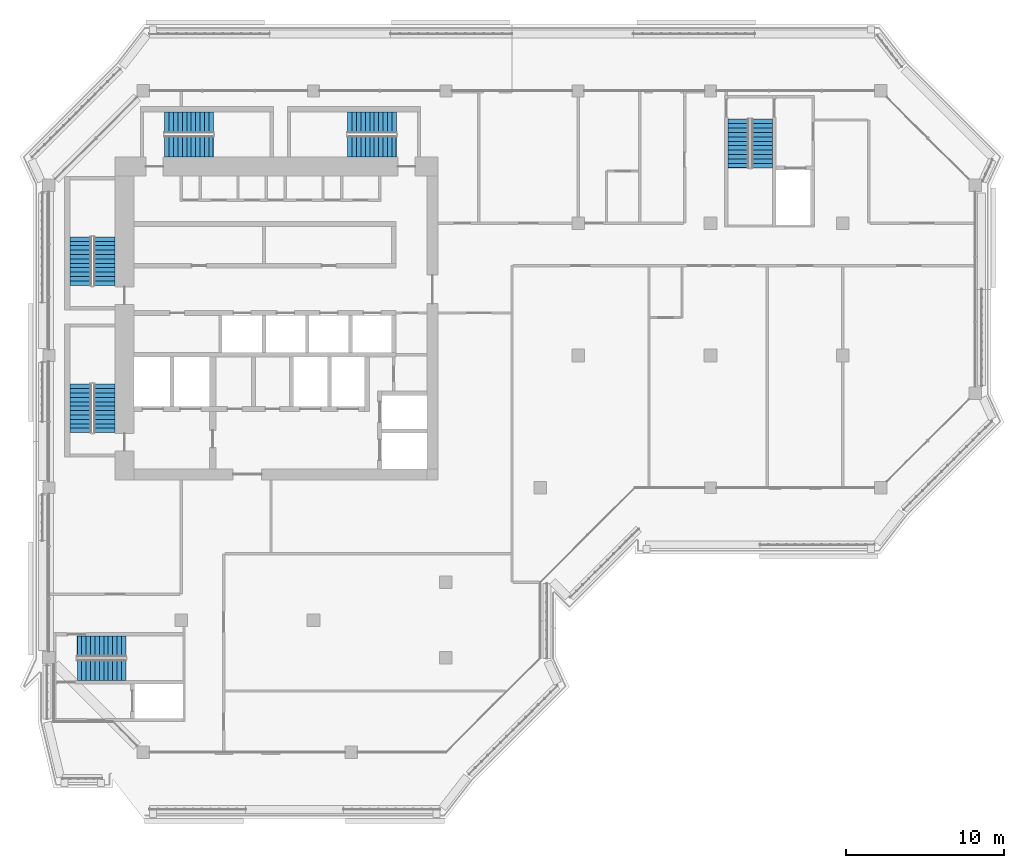
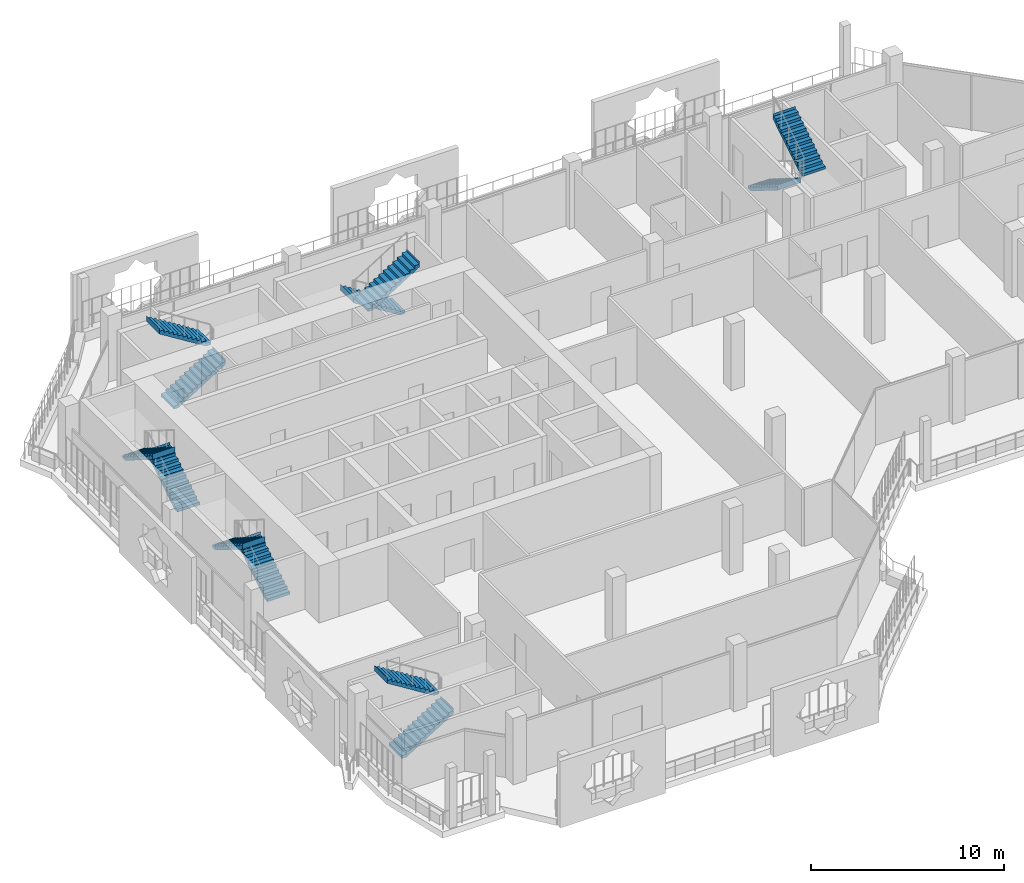
# One storey, part 14 of 21: 12 stair flights, 6 elements without a shape of their own.
"""IFC4 building model written with IfcOpenShell, lengths in metres."""

from ifc_helpers import new_model, si_unit, direction, frame, origin, place, context, subcontext, project, spatial, polyline, outline, extrude, material, type_object, element, aggregate, save


model = new_model("IFC4")

# Units and contexts
model_context = context("Model", 3, precision=1e-05, world=origin(), true_north=direction((0.0, 1.0)))
body_context = subcontext(model_context, "Body", "Model", "MODEL_VIEW")
ifc_project = project(units=[si_unit("LENGTHUNIT", "METRE"), si_unit("AREAUNIT", "SQUARE_METRE"), si_unit("VOLUMEUNIT", "CUBIC_METRE"), si_unit("PLANEANGLEUNIT", "RADIAN"), si_unit("MASSUNIT", "GRAM", prefix="KILO")], contexts=[model_context])

# Site, building, storey
site_placement = place(None, origin())
site = spatial("IfcSite", under=ifc_project, at=site_placement, CompositionType="ELEMENT")
building_placement = place(site_placement, origin())
building = spatial("IfcBuilding", under=site, at=building_placement, Name="Kawkab Arch Medical Tower", CompositionType="ELEMENT")
storey_placement = place(building_placement, frame((0.0, 0.0, 302.800048828125)))
storey = spatial("IfcBuildingStorey", under=building, at=storey_placement, Name="L70", CompositionType="ELEMENT", Elevation=302.800048828125)

# Stair, stair flights
ifc_material_1 = material(Name="Concrete C40/50", Category="concrete")
stair_type = type_object("IfcStairType", Name="Exit stair 1350", PredefinedType="HALF_TURN_STAIR", material=ifc_material_1)
placement = place(storey_placement, origin())
stair_1 = element("IfcStair", 1, at=placement, inside=storey, type_object=stair_type, Name="L70 Exit stair ST1", PredefinedType="HALF_TURN_STAIR")
ifc_material_2 = material(Name="Concrete C40/50", Category="concrete")
stair_flight_type = type_object("IfcStairFlightType", Name="Exit stair flight 1350", PredefinedType="STRAIGHT", material=ifc_material_2)
stair_flight_1_placement = place(storey_placement, frame((3.52490234375, -12.35009765625, 0.0), z_axis=(0.0, 0.0, 1.0), x_axis=(0.0, 1.0, 0.0)))
stair_flight_1 = element("IfcStairFlight", 2, at=stair_flight_1_placement, type_object=stair_flight_type, Name="ST1 flight 1", NumberOfRisers=12, NumberOfTreads=11, PredefinedType="STRAIGHT", RiserHeight=0.175, TreadLength=0.28, context=body_context, shape_type="SweptSolid", body=[
    extrude(outline(polyline([(-0.0029296875, 0.0), (-0.0029296875, 0.175048828125), (0.0, 0.175048828125), (0.280029296875, 0.175048828125), (0.280029296875, 0.35009765625), (0.56005859375, 0.35009765625), (0.56005859375, 0.52490234375), (0.840087890625, 0.52490234375), (0.840087890625, 0.699951171875), (1.1201171875, 0.699951171875), (1.1201171875, 0.875), (1.39990234375, 0.875), (1.39990234375, 1.050048828125), (1.679931640625, 1.050048828125), (1.679931640625, 1.22509765625), (1.9599609375, 1.22509765625), (1.9599609375, 1.39990234375), (2.239990234375, 1.39990234375), (2.239990234375, 1.574951171875), (2.52001953125, 1.574951171875), (2.52001953125, 1.75), (2.800048828125, 1.75), (2.800048828125, 1.925048828125), (3.080078125, 1.925048828125), (3.080078125, 2.10009765625), (3.0830078125, 2.10009765625), (3.0830078125, 1.748291015625), (3.080078125, 1.748291015625), (0.28271484375, 0.0), (-0.0029296875, 0.0)])), frame((0.0, 0.675048828125, 0.0), z_axis=(0.0, -1.0, 0.0), x_axis=(1.0, 0.0, 0.0)), (0.0, 0.0, 1.0), 1.35009765625),
])
stair_flight_2_placement = place(storey_placement, frame((2.02490234375, -9.27001953125, 2.099853515625), z_axis=(0.0, 0.0, 1.0), x_axis=(0.0, -1.0, 0.0)))
stair_flight_2 = element("IfcStairFlight", 3, at=stair_flight_2_placement, type_object=stair_flight_type, Name="ST1 flight 2", NumberOfRisers=12, NumberOfTreads=11, PredefinedType="STRAIGHT", RiserHeight=0.175, TreadLength=0.28, context=body_context, shape_type="SweptSolid", body=[
    extrude(outline(polyline([(-0.0029296875, 0.0), (-0.0029296875, 0.175048828125), (0.0, 0.175048828125), (0.280029296875, 0.175048828125), (0.280029296875, 0.35009765625), (0.56005859375, 0.35009765625), (0.56005859375, 0.52490234375), (0.840087890625, 0.52490234375), (0.840087890625, 0.699951171875), (1.1201171875, 0.699951171875), (1.1201171875, 0.875), (1.39990234375, 0.875), (1.39990234375, 1.050048828125), (1.679931640625, 1.050048828125), (1.679931640625, 1.22509765625), (1.9599609375, 1.22509765625), (1.9599609375, 1.39990234375), (2.239990234375, 1.39990234375), (2.239990234375, 1.574951171875), (2.52001953125, 1.574951171875), (2.52001953125, 1.75), (2.800048828125, 1.75), (2.800048828125, 1.925048828125), (3.080078125, 1.925048828125), (3.080078125, 2.10009765625), (3.0830078125, 2.10009765625), (3.0830078125, 1.748291015625), (3.080078125, 1.748291015625), (0.28271484375, 0.0), (-0.0029296875, 0.0)])), frame((0.0, 0.675048828125, 0.0), z_axis=(0.0, -1.0, 0.0), x_axis=(1.0, 0.0, 0.0)), (0.0, 0.0, 1.0), 1.35009765625),
])
aggregate(stair_1, [stair_flight_1, stair_flight_2])

stair_2 = element("IfcStair", 4, at=placement, inside=storey, type_object=stair_type, Name="L70 Exit stair ST2", PredefinedType="HALF_TURN_STAIR")
stair_flight_3_placement = place(storey_placement, frame((3.52490234375, -21.699951171875, 0.0), z_axis=(0.0, 0.0, 1.0), x_axis=(0.0, 1.0, 0.0)))
stair_flight_3 = element("IfcStairFlight", 5, at=stair_flight_3_placement, type_object=stair_flight_type, Name="ST2 flight 1", NumberOfRisers=12, NumberOfTreads=11, PredefinedType="STRAIGHT", RiserHeight=0.175, TreadLength=0.28, context=body_context, shape_type="SweptSolid", body=[
    extrude(outline(polyline([(-0.0029296875, 0.0), (-0.0029296875, 0.175048828125), (0.0, 0.175048828125), (0.280029296875, 0.175048828125), (0.280029296875, 0.35009765625), (0.56005859375, 0.35009765625), (0.56005859375, 0.52490234375), (0.840087890625, 0.52490234375), (0.840087890625, 0.699951171875), (1.1201171875, 0.699951171875), (1.1201171875, 0.875), (1.39990234375, 0.875), (1.39990234375, 1.050048828125), (1.679931640625, 1.050048828125), (1.679931640625, 1.22509765625), (1.9599609375, 1.22509765625), (1.9599609375, 1.39990234375), (2.239990234375, 1.39990234375), (2.239990234375, 1.574951171875), (2.52001953125, 1.574951171875), (2.52001953125, 1.75), (2.800048828125, 1.75), (2.800048828125, 1.925048828125), (3.080078125, 1.925048828125), (3.080078125, 2.10009765625), (3.0830078125, 2.10009765625), (3.0830078125, 1.748291015625), (3.080078125, 1.748291015625), (0.28271484375, 0.0), (-0.0029296875, 0.0)])), frame((0.0, 0.675048828125, 0.0), z_axis=(0.0, -1.0, 0.0), x_axis=(1.0, 0.0, 0.0)), (0.0, 0.0, 1.0), 1.35009765625),
])
stair_flight_4_placement = place(storey_placement, frame((2.02490234375, -18.6201171875, 2.099853515625), z_axis=(0.0, 0.0, 1.0), x_axis=(0.0, -1.0, 0.0)))
stair_flight_4 = element("IfcStairFlight", 6, at=stair_flight_4_placement, type_object=stair_flight_type, Name="ST2 flight 2", NumberOfRisers=12, NumberOfTreads=11, PredefinedType="STRAIGHT", RiserHeight=0.175, TreadLength=0.28, context=body_context, shape_type="SweptSolid", body=[
    extrude(outline(polyline([(-0.0029296875, 0.0), (-0.0029296875, 0.175048828125), (0.0, 0.175048828125), (0.280029296875, 0.175048828125), (0.280029296875, 0.35009765625), (0.56005859375, 0.35009765625), (0.56005859375, 0.52490234375), (0.840087890625, 0.52490234375), (0.840087890625, 0.699951171875), (1.1201171875, 0.699951171875), (1.1201171875, 0.875), (1.39990234375, 0.875), (1.39990234375, 1.050048828125), (1.679931640625, 1.050048828125), (1.679931640625, 1.22509765625), (1.9599609375, 1.22509765625), (1.9599609375, 1.39990234375), (2.239990234375, 1.39990234375), (2.239990234375, 1.574951171875), (2.52001953125, 1.574951171875), (2.52001953125, 1.75), (2.800048828125, 1.75), (2.800048828125, 1.925048828125), (3.080078125, 1.925048828125), (3.080078125, 2.10009765625), (3.0830078125, 2.10009765625), (3.0830078125, 1.748291015625), (3.080078125, 1.748291015625), (0.28271484375, 0.0), (-0.0029296875, 0.0)])), frame((0.0, 0.675048828125, 0.0), z_axis=(0.0, -1.0, 0.0), x_axis=(1.0, 0.0, 0.0)), (0.0, 0.0, 1.0), 1.35009765625),
])
aggregate(stair_2, [stair_flight_3, stair_flight_4])

stair_3 = element("IfcStair", 7, at=placement, inside=storey, type_object=stair_type, Name="L70 Exit stair ST3", PredefinedType="HALF_TURN_STAIR")
stair_flight_5_placement = place(storey_placement, frame((7.35009765625, -3.52490234375, 0.0), z_axis=(0.0, 0.0, 1.0), x_axis=(1.0, 0.0, 0.0)))
stair_flight_5 = element("IfcStairFlight", 8, at=stair_flight_5_placement, type_object=stair_flight_type, Name="ST3 flight 1", NumberOfRisers=12, NumberOfTreads=11, PredefinedType="STRAIGHT", RiserHeight=0.175, TreadLength=0.28, context=body_context, shape_type="SweptSolid", body=[
    extrude(outline(polyline([(-0.0029296875, 0.0), (-0.0029296875, 0.175048828125), (0.0, 0.175048828125), (0.280029296875, 0.175048828125), (0.280029296875, 0.35009765625), (0.56005859375, 0.35009765625), (0.56005859375, 0.52490234375), (0.840087890625, 0.52490234375), (0.840087890625, 0.699951171875), (1.1201171875, 0.699951171875), (1.1201171875, 0.875), (1.39990234375, 0.875), (1.39990234375, 1.050048828125), (1.679931640625, 1.050048828125), (1.679931640625, 1.22509765625), (1.9599609375, 1.22509765625), (1.9599609375, 1.39990234375), (2.239990234375, 1.39990234375), (2.239990234375, 1.574951171875), (2.52001953125, 1.574951171875), (2.52001953125, 1.75), (2.800048828125, 1.75), (2.800048828125, 1.925048828125), (3.080078125, 1.925048828125), (3.080078125, 2.10009765625), (3.0830078125, 2.10009765625), (3.0830078125, 1.748291015625), (3.080078125, 1.748291015625), (0.28271484375, 0.0), (-0.0029296875, 0.0)])), frame((0.0, 0.675048828125, 0.0), z_axis=(0.0, -1.0, 0.0), x_axis=(1.0, 0.0, 0.0)), (0.0, 0.0, 1.0), 1.35009765625),
])
stair_flight_6_placement = place(storey_placement, frame((10.429931640625, -2.02490234375, 2.099853515625), z_axis=(0.0, 0.0, 1.0), x_axis=(-1.0, 0.0, 0.0)))
stair_flight_6 = element("IfcStairFlight", 9, at=stair_flight_6_placement, type_object=stair_flight_type, Name="ST3 flight 2", NumberOfRisers=12, NumberOfTreads=11, PredefinedType="STRAIGHT", RiserHeight=0.175, TreadLength=0.28, context=body_context, shape_type="SweptSolid", body=[
    extrude(outline(polyline([(-0.0029296875, 0.0), (-0.0029296875, 0.175048828125), (0.0, 0.175048828125), (0.280029296875, 0.175048828125), (0.280029296875, 0.35009765625), (0.56005859375, 0.35009765625), (0.56005859375, 0.52490234375), (0.840087890625, 0.52490234375), (0.840087890625, 0.699951171875), (1.1201171875, 0.699951171875), (1.1201171875, 0.875), (1.39990234375, 0.875), (1.39990234375, 1.050048828125), (1.679931640625, 1.050048828125), (1.679931640625, 1.22509765625), (1.9599609375, 1.22509765625), (1.9599609375, 1.39990234375), (2.239990234375, 1.39990234375), (2.239990234375, 1.574951171875), (2.52001953125, 1.574951171875), (2.52001953125, 1.75), (2.800048828125, 1.75), (2.800048828125, 1.925048828125), (3.080078125, 1.925048828125), (3.080078125, 2.10009765625), (3.0830078125, 2.10009765625), (3.0830078125, 1.748291015625), (3.080078125, 1.748291015625), (0.28271484375, 0.0), (-0.0029296875, 0.0)])), frame((0.0, 0.675048828125, 0.0), z_axis=(0.0, -1.0, 0.0), x_axis=(1.0, 0.0, 0.0)), (0.0, 0.0, 1.0), 1.35009765625),
])
aggregate(stair_3, [stair_flight_5, stair_flight_6])

stair_4 = element("IfcStair", 10, at=placement, inside=storey, type_object=stair_type, Name="L70 Exit stair ST4", PredefinedType="HALF_TURN_STAIR")
stair_flight_7_placement = place(storey_placement, frame((22.050048828125, -2.02490234375, 0.0), z_axis=(0.0, 0.0, 1.0), x_axis=(-1.0, 0.0, 0.0)))
stair_flight_7 = element("IfcStairFlight", 11, at=stair_flight_7_placement, type_object=stair_flight_type, Name="ST4 flight 1", NumberOfRisers=12, NumberOfTreads=11, PredefinedType="STRAIGHT", RiserHeight=0.175, TreadLength=0.28, context=body_context, shape_type="SweptSolid", body=[
    extrude(outline(polyline([(-0.0029296875, 0.0), (-0.0029296875, 0.175048828125), (0.0, 0.175048828125), (0.280029296875, 0.175048828125), (0.280029296875, 0.35009765625), (0.56005859375, 0.35009765625), (0.56005859375, 0.52490234375), (0.840087890625, 0.52490234375), (0.840087890625, 0.699951171875), (1.1201171875, 0.699951171875), (1.1201171875, 0.875), (1.39990234375, 0.875), (1.39990234375, 1.050048828125), (1.679931640625, 1.050048828125), (1.679931640625, 1.22509765625), (1.9599609375, 1.22509765625), (1.9599609375, 1.39990234375), (2.239990234375, 1.39990234375), (2.239990234375, 1.574951171875), (2.52001953125, 1.574951171875), (2.52001953125, 1.75), (2.800048828125, 1.75), (2.800048828125, 1.925048828125), (3.080078125, 1.925048828125), (3.080078125, 2.10009765625), (3.0830078125, 2.10009765625), (3.0830078125, 1.748291015625), (3.080078125, 1.748291015625), (0.28271484375, 0.0), (-0.0029296875, 0.0)])), frame((0.0, 0.675048828125, 0.0), z_axis=(0.0, -1.0, 0.0), x_axis=(1.0, 0.0, 0.0)), (0.0, 0.0, 1.0), 1.35009765625),
])
stair_flight_8_placement = place(storey_placement, frame((18.969970703125, -3.52490234375, 2.099853515625), z_axis=(0.0, 0.0, 1.0), x_axis=(1.0, 0.0, 0.0)))
stair_flight_8 = element("IfcStairFlight", 12, at=stair_flight_8_placement, type_object=stair_flight_type, Name="ST4 flight 2", NumberOfRisers=12, NumberOfTreads=11, PredefinedType="STRAIGHT", RiserHeight=0.175, TreadLength=0.28, context=body_context, shape_type="SweptSolid", body=[
    extrude(outline(polyline([(-0.0029296875, 0.0), (-0.0029296875, 0.175048828125), (0.0, 0.175048828125), (0.280029296875, 0.175048828125), (0.280029296875, 0.35009765625), (0.56005859375, 0.35009765625), (0.56005859375, 0.52490234375), (0.840087890625, 0.52490234375), (0.840087890625, 0.699951171875), (1.1201171875, 0.699951171875), (1.1201171875, 0.875), (1.39990234375, 0.875), (1.39990234375, 1.050048828125), (1.679931640625, 1.050048828125), (1.679931640625, 1.22509765625), (1.9599609375, 1.22509765625), (1.9599609375, 1.39990234375), (2.239990234375, 1.39990234375), (2.239990234375, 1.574951171875), (2.52001953125, 1.574951171875), (2.52001953125, 1.75), (2.800048828125, 1.75), (2.800048828125, 1.925048828125), (3.080078125, 1.925048828125), (3.080078125, 2.10009765625), (3.0830078125, 2.10009765625), (3.0830078125, 1.748291015625), (3.080078125, 1.748291015625), (0.28271484375, 0.0), (-0.0029296875, 0.0)])), frame((0.0, 0.675048828125, 0.0), z_axis=(0.0, -1.0, 0.0), x_axis=(1.0, 0.0, 0.0)), (0.0, 0.0, 1.0), 1.35009765625),
])
aggregate(stair_4, [stair_flight_7, stair_flight_8])

stair_5 = element("IfcStair", 13, at=placement, inside=storey, type_object=stair_type, Name="L70 Exit stair ST5", PredefinedType="HALF_TURN_STAIR")
stair_flight_9_placement = place(storey_placement, frame((43.77490234375, -1.800048828125, 0.0), z_axis=(0.0, 0.0, 1.0), x_axis=(0.0, -1.0, 0.0)))
stair_flight_9 = element("IfcStairFlight", 14, at=stair_flight_9_placement, type_object=stair_flight_type, Name="ST5 flight 1", NumberOfRisers=12, NumberOfTreads=11, PredefinedType="STRAIGHT", RiserHeight=0.175, TreadLength=0.28, context=body_context, shape_type="SweptSolid", body=[
    extrude(outline(polyline([(-0.0029296875, 0.0), (-0.0029296875, 0.175048828125), (0.0, 0.175048828125), (0.280029296875, 0.175048828125), (0.280029296875, 0.35009765625), (0.56005859375, 0.35009765625), (0.56005859375, 0.52490234375), (0.840087890625, 0.52490234375), (0.840087890625, 0.699951171875), (1.1201171875, 0.699951171875), (1.1201171875, 0.875), (1.39990234375, 0.875), (1.39990234375, 1.050048828125), (1.679931640625, 1.050048828125), (1.679931640625, 1.22509765625), (1.9599609375, 1.22509765625), (1.9599609375, 1.39990234375), (2.239990234375, 1.39990234375), (2.239990234375, 1.574951171875), (2.52001953125, 1.574951171875), (2.52001953125, 1.75), (2.800048828125, 1.75), (2.800048828125, 1.925048828125), (3.080078125, 1.925048828125), (3.080078125, 2.10009765625), (3.0830078125, 2.10009765625), (3.0830078125, 1.748291015625), (3.080078125, 1.748291015625), (0.28271484375, 0.0), (-0.0029296875, 0.0)])), frame((0.0, 0.675048828125, 0.0), z_axis=(0.0, -1.0, 0.0), x_axis=(1.0, 0.0, 0.0)), (0.0, 0.0, 1.0), 1.35009765625),
])
stair_flight_10_placement = place(storey_placement, frame((45.27490234375, -4.8798828125, 2.099853515625), z_axis=(0.0, 0.0, 1.0), x_axis=(0.0, 1.0, 0.0)))
stair_flight_10 = element("IfcStairFlight", 15, at=stair_flight_10_placement, type_object=stair_flight_type, Name="ST5 flight 2", NumberOfRisers=12, NumberOfTreads=11, PredefinedType="STRAIGHT", RiserHeight=0.175, TreadLength=0.28, context=body_context, shape_type="SweptSolid", body=[
    extrude(outline(polyline([(-0.0029296875, 0.0), (-0.0029296875, 0.175048828125), (0.0, 0.175048828125), (0.280029296875, 0.175048828125), (0.280029296875, 0.35009765625), (0.56005859375, 0.35009765625), (0.56005859375, 0.52490234375), (0.840087890625, 0.52490234375), (0.840087890625, 0.699951171875), (1.1201171875, 0.699951171875), (1.1201171875, 0.875), (1.39990234375, 0.875), (1.39990234375, 1.050048828125), (1.679931640625, 1.050048828125), (1.679931640625, 1.22509765625), (1.9599609375, 1.22509765625), (1.9599609375, 1.39990234375), (2.239990234375, 1.39990234375), (2.239990234375, 1.574951171875), (2.52001953125, 1.574951171875), (2.52001953125, 1.75), (2.800048828125, 1.75), (2.800048828125, 1.925048828125), (3.080078125, 1.925048828125), (3.080078125, 2.10009765625), (3.0830078125, 2.10009765625), (3.0830078125, 1.748291015625), (3.080078125, 1.748291015625), (0.28271484375, 0.0), (-0.0029296875, 0.0)])), frame((0.0, 0.675048828125, 0.0), z_axis=(0.0, -1.0, 0.0), x_axis=(1.0, 0.0, 0.0)), (0.0, 0.0, 1.0), 1.35009765625),
])
aggregate(stair_5, [stair_flight_9, stair_flight_10])

stair_6 = element("IfcStair", 16, at=placement, inside=storey, type_object=stair_type, Name="L70 Exit stair ST6", PredefinedType="HALF_TURN_STAIR")
stair_flight_11_placement = place(storey_placement, frame((1.800048828125, -36.77490234375, 0.0), z_axis=(0.0, 0.0, 1.0), x_axis=(1.0, 0.0, 0.0)))
stair_flight_11 = element("IfcStairFlight", 17, at=stair_flight_11_placement, type_object=stair_flight_type, Name="ST6 flight 1", NumberOfRisers=12, NumberOfTreads=11, PredefinedType="STRAIGHT", RiserHeight=0.175, TreadLength=0.28, context=body_context, shape_type="SweptSolid", body=[
    extrude(outline(polyline([(-0.0029296875, 0.0), (-0.0029296875, 0.175048828125), (0.0, 0.175048828125), (0.280029296875, 0.175048828125), (0.280029296875, 0.35009765625), (0.56005859375, 0.35009765625), (0.56005859375, 0.52490234375), (0.840087890625, 0.52490234375), (0.840087890625, 0.699951171875), (1.1201171875, 0.699951171875), (1.1201171875, 0.875), (1.39990234375, 0.875), (1.39990234375, 1.050048828125), (1.679931640625, 1.050048828125), (1.679931640625, 1.22509765625), (1.9599609375, 1.22509765625), (1.9599609375, 1.39990234375), (2.239990234375, 1.39990234375), (2.239990234375, 1.574951171875), (2.52001953125, 1.574951171875), (2.52001953125, 1.75), (2.800048828125, 1.75), (2.800048828125, 1.925048828125), (3.080078125, 1.925048828125), (3.080078125, 2.10009765625), (3.0830078125, 2.10009765625), (3.0830078125, 1.748291015625), (3.080078125, 1.748291015625), (0.28271484375, 0.0), (-0.0029296875, 0.0)])), frame((0.0, 0.675048828125, 0.0), z_axis=(0.0, -1.0, 0.0), x_axis=(1.0, 0.0, 0.0)), (0.0, 0.0, 1.0), 1.35009765625),
])
stair_flight_12_placement = place(storey_placement, frame((4.8798828125, -35.27490234375, 2.099853515625), z_axis=(0.0, 0.0, 1.0), x_axis=(-1.0, 0.0, 0.0)))
stair_flight_12 = element("IfcStairFlight", 18, at=stair_flight_12_placement, type_object=stair_flight_type, Name="ST6 flight 2", NumberOfRisers=12, NumberOfTreads=11, PredefinedType="STRAIGHT", RiserHeight=0.175, TreadLength=0.28, context=body_context, shape_type="SweptSolid", body=[
    extrude(outline(polyline([(-0.0029296875, 0.0), (-0.0029296875, 0.175048828125), (0.0, 0.175048828125), (0.280029296875, 0.175048828125), (0.280029296875, 0.35009765625), (0.56005859375, 0.35009765625), (0.56005859375, 0.52490234375), (0.840087890625, 0.52490234375), (0.840087890625, 0.699951171875), (1.1201171875, 0.699951171875), (1.1201171875, 0.875), (1.39990234375, 0.875), (1.39990234375, 1.050048828125), (1.679931640625, 1.050048828125), (1.679931640625, 1.22509765625), (1.9599609375, 1.22509765625), (1.9599609375, 1.39990234375), (2.239990234375, 1.39990234375), (2.239990234375, 1.574951171875), (2.52001953125, 1.574951171875), (2.52001953125, 1.75), (2.800048828125, 1.75), (2.800048828125, 1.925048828125), (3.080078125, 1.925048828125), (3.080078125, 2.10009765625), (3.0830078125, 2.10009765625), (3.0830078125, 1.748291015625), (3.080078125, 1.748291015625), (0.28271484375, 0.0), (-0.0029296875, 0.0)])), frame((0.0, 0.675048828125, 0.0), z_axis=(0.0, -1.0, 0.0), x_axis=(1.0, 0.0, 0.0)), (0.0, 0.0, 1.0), 1.35009765625),
])
aggregate(stair_6, [stair_flight_11, stair_flight_12])

save(model, "model.ifc")
